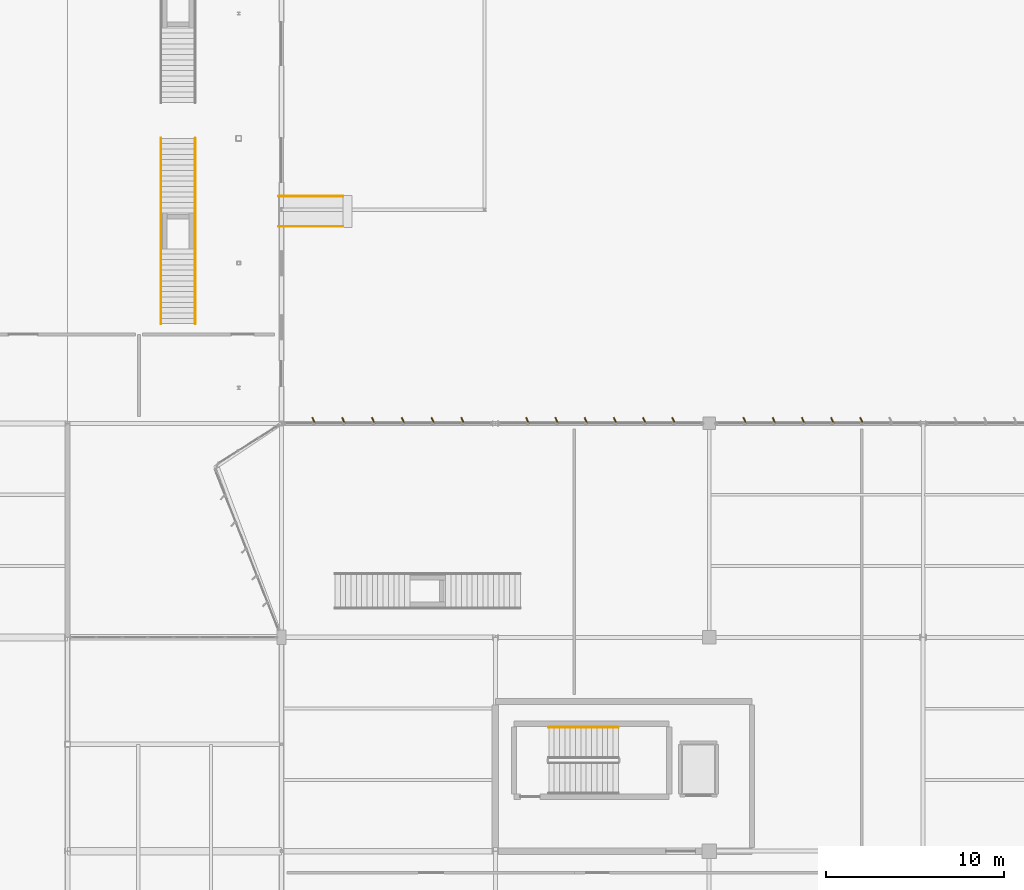
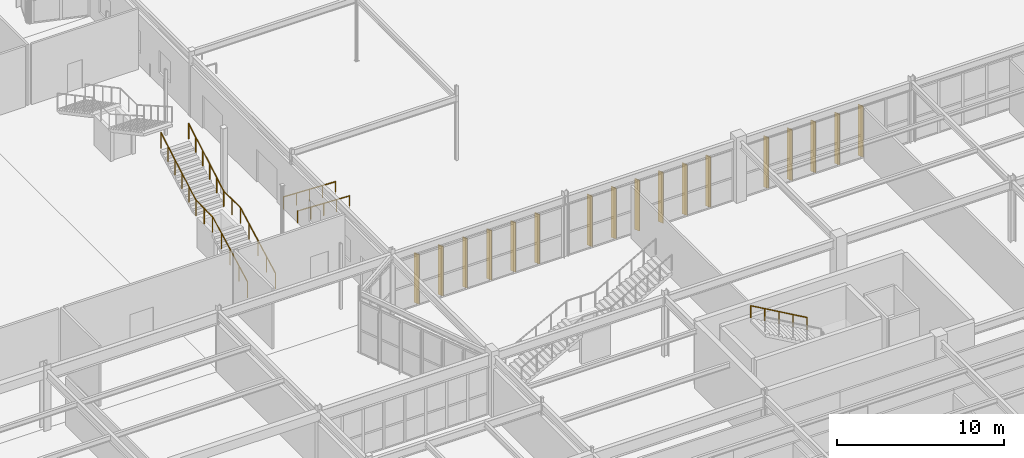
# One storey, part 190 of 199: 17 shading devices, 5 railings.
"""IFC4 building model written with IfcOpenShell, lengths in metres."""

from ifc_helpers import new_model, si_unit, direction, frame, origin, origin_2d, place, context, subcontext, project, spatial, rectangle, circle, extrude, material, layer, layer_set, type_object, element, save


model = new_model("IFC4")

# Units and contexts
model_context = context("Model", 3, precision=1e-05, world=origin(), true_north=direction((0.0, 1.0)))
body_context = subcontext(model_context, "Body", "Model", "MODEL_VIEW")
ifc_project = project(units=[si_unit("LENGTHUNIT", "METRE"), si_unit("AREAUNIT", "SQUARE_METRE"), si_unit("VOLUMEUNIT", "CUBIC_METRE"), si_unit("PLANEANGLEUNIT", "RADIAN"), si_unit("MASSUNIT", "GRAM", prefix="KILO")], contexts=[model_context])

# Site, building, storey
site_placement = place(None, origin())
site = spatial("IfcSite", under=ifc_project, at=site_placement, CompositionType="ELEMENT")
building_placement = place(site_placement, origin())
building = spatial("IfcBuilding", under=site, at=building_placement, Name="Tarnwether General Hospital", CompositionType="ELEMENT")
storey_placement = place(building_placement, origin())
storey = spatial("IfcBuildingStorey", under=building, at=storey_placement, Name="L00", CompositionType="ELEMENT", Elevation=0.0)

# Railings
ifc_material_1 = material(Name="Anodised aluminium", Category="aluminium")
railing_type_1 = type_object("IfcRailingType", Name="RL-GRD-EXT", PredefinedType="GUARDRAIL", material=ifc_material_1)
railing_1_placement = place(storey_placement, frame((139.159912109375, 51.199951171875, 0.159912109375)))
element("IfcRailing", 1, at=railing_1_placement, inside=storey, type_object=railing_type_1, Name="Feature Stair Guard ST-11 1", PredefinedType="GUARDRAIL", context=body_context, shape_type="SweptSolid", body=[
    extrude(circle(Radius=0.02392578125, at=origin_2d()), frame((0.0, 0.0, 1.1259765625), z_axis=(0.0, 0.882351521365, 0.470590897432), x_axis=(-1.0, 0.0, 0.0)), (0.0, 0.0, 1.0), 4.760009765625),
    extrude(circle(Radius=0.02392578125, at=origin_2d()), frame((0.0, 4.199951171875, 3.36572265625), z_axis=(0.0, 1.0, 0.0), x_axis=(-1.0, 0.0, 0.0)), (0.0, 0.0, 1.0), 2.0),
    extrude(circle(Radius=0.02392578125, at=origin_2d()), frame((0.0, 6.199951171875, 3.36572265625), z_axis=(0.0, 0.868240036425, 0.496144373291), x_axis=(-1.0, 0.0, 0.0)), (0.0, 0.0, 1.0), 4.837646484375),
    extrude(circle(Radius=0.02099609375, at=origin_2d()), origin(), (0.0, 0.0, 1.0), 1.101806640625),
    extrude(circle(Radius=0.02099609375, at=origin_2d()), frame((0.0, 1.050048828125, 0.56005859375)), (0.0, 0.0, 1.0), 1.101806640625),
    extrude(circle(Radius=0.02099609375, at=origin_2d()), frame((0.0, 2.10009765625, 1.1201171875)), (0.0, 0.0, 1.0), 1.101806640625),
    extrude(circle(Radius=0.02099609375, at=origin_2d()), frame((0.0, 3.14990234375, 1.679931640625)), (0.0, 0.0, 1.0), 1.101806640625),
    extrude(circle(Radius=0.02099609375, at=origin_2d()), frame((0.0, 4.199951171875, 2.239990234375)), (0.0, 0.0, 1.0), 1.101806640625),
    extrude(circle(Radius=0.02099609375, at=origin_2d()), frame((0.0, 5.199951171875, 2.239990234375)), (0.0, 0.0, 1.0), 1.101806640625),
    extrude(circle(Radius=0.02099609375, at=origin_2d()), frame((0.0, 6.199951171875, 2.239990234375)), (0.0, 0.0, 1.0), 1.101806640625),
    extrude(circle(Radius=0.02099609375, at=origin_2d()), frame((0.0, 7.0400390625, 2.719970703125)), (0.0, 0.0, 1.0), 1.101806640625),
    extrude(circle(Radius=0.02099609375, at=origin_2d()), frame((0.0, 7.880126953125, 3.199951171875)), (0.0, 0.0, 1.0), 1.101806640625),
    extrude(circle(Radius=0.02099609375, at=origin_2d()), frame((0.0, 8.719970703125, 3.68017578125)), (0.0, 0.0, 1.0), 1.101806640625),
    extrude(circle(Radius=0.02099609375, at=origin_2d()), frame((0.0, 9.56005859375, 4.16015625)), (0.0, 0.0, 1.0), 1.101806640625),
    extrude(circle(Radius=0.02099609375, at=origin_2d()), frame((0.0, 10.400146484375, 4.64013671875)), (0.0, 0.0, 1.0), 1.101806640625),
])
railing_2_placement = place(storey_placement, frame((137.239990234375, 51.199951171875, 0.159912109375)))
element("IfcRailing", 2, at=railing_2_placement, inside=storey, type_object=railing_type_1, Name="Feature Stair Guard ST-11 2", PredefinedType="GUARDRAIL", context=body_context, shape_type="SweptSolid", body=[
    extrude(circle(Radius=0.02392578125, at=origin_2d()), frame((0.0, 0.0, 1.1259765625), z_axis=(0.0, 0.882351521365, 0.470590897432), x_axis=(-1.0, 0.0, 0.0)), (0.0, 0.0, 1.0), 4.760009765625),
    extrude(circle(Radius=0.02392578125, at=origin_2d()), frame((0.0, 4.199951171875, 3.36572265625), z_axis=(0.0, 1.0, 0.0), x_axis=(-1.0, 0.0, 0.0)), (0.0, 0.0, 1.0), 2.0),
    extrude(circle(Radius=0.02392578125, at=origin_2d()), frame((0.0, 6.199951171875, 3.36572265625), z_axis=(0.0, 0.868240036425, 0.496144373291), x_axis=(-1.0, 0.0, 0.0)), (0.0, 0.0, 1.0), 4.837646484375),
    extrude(circle(Radius=0.02099609375, at=origin_2d()), origin(), (0.0, 0.0, 1.0), 1.101806640625),
    extrude(circle(Radius=0.02099609375, at=origin_2d()), frame((0.0, 1.050048828125, 0.56005859375)), (0.0, 0.0, 1.0), 1.101806640625),
    extrude(circle(Radius=0.02099609375, at=origin_2d()), frame((0.0, 2.10009765625, 1.1201171875)), (0.0, 0.0, 1.0), 1.101806640625),
    extrude(circle(Radius=0.02099609375, at=origin_2d()), frame((0.0, 3.14990234375, 1.679931640625)), (0.0, 0.0, 1.0), 1.101806640625),
    extrude(circle(Radius=0.02099609375, at=origin_2d()), frame((0.0, 4.199951171875, 2.239990234375)), (0.0, 0.0, 1.0), 1.101806640625),
    extrude(circle(Radius=0.02099609375, at=origin_2d()), frame((0.0, 5.199951171875, 2.239990234375)), (0.0, 0.0, 1.0), 1.101806640625),
    extrude(circle(Radius=0.02099609375, at=origin_2d()), frame((0.0, 6.199951171875, 2.239990234375)), (0.0, 0.0, 1.0), 1.101806640625),
    extrude(circle(Radius=0.02099609375, at=origin_2d()), frame((0.0, 7.0400390625, 2.719970703125)), (0.0, 0.0, 1.0), 1.101806640625),
    extrude(circle(Radius=0.02099609375, at=origin_2d()), frame((0.0, 7.880126953125, 3.199951171875)), (0.0, 0.0, 1.0), 1.101806640625),
    extrude(circle(Radius=0.02099609375, at=origin_2d()), frame((0.0, 8.719970703125, 3.68017578125)), (0.0, 0.0, 1.0), 1.101806640625),
    extrude(circle(Radius=0.02099609375, at=origin_2d()), frame((0.0, 9.56005859375, 4.16015625)), (0.0, 0.0, 1.0), 1.101806640625),
    extrude(circle(Radius=0.02099609375, at=origin_2d()), frame((0.0, 10.400146484375, 4.64013671875)), (0.0, 0.0, 1.0), 1.101806640625),
])
ifc_material_2 = material(Name="Anodised aluminium", Category="aluminium")
railing_type_2 = type_object("IfcRailingType", Name="RL-HND-INT", PredefinedType="HANDRAIL", material=ifc_material_2)
railing_3_placement = place(storey_placement, frame((162.89990234375, 28.550048828125, 2.571533203125)))
element("IfcRailing", 3, at=railing_3_placement, inside=storey, type_object=railing_type_2, Name="L00 ST-05 stair handrail 2", PredefinedType="HANDRAIL", context=body_context, shape_type="SweptSolid", body=[
    extrude(circle(Radius=0.02392578125, at=origin_2d()), frame((0.0, 0.0, 0.8759765625), z_axis=(-0.868243142124, 0.0, 0.496138938357), x_axis=(0.0, -1.0, 0.0)), (0.0, 0.0, 1.0), 4.49169921875),
    extrude(circle(Radius=0.02099609375, at=origin_2d()), origin(), (0.0, 0.0, 1.0), 0.851806640625),
    extrude(circle(Radius=0.02099609375, at=origin_2d()), frame((-0.97509765625, 0.0, 0.55712890625)), (0.0, 0.0, 1.0), 0.851806640625),
    extrude(circle(Radius=0.02099609375, at=origin_2d()), frame((-1.949951171875, 0.0, 1.1142578125)), (0.0, 0.0, 1.0), 0.851806640625),
    extrude(circle(Radius=0.02099609375, at=origin_2d()), frame((-2.9248046875, 0.0, 1.67138671875)), (0.0, 0.0, 1.0), 0.851806640625),
    extrude(circle(Radius=0.02099609375, at=origin_2d()), frame((-3.89990234375, 0.0, 2.228515625)), (0.0, 0.0, 1.0), 0.851806640625),
])
for number, where, name in (
    (4, (147.449951171875, 58.35009765625, -0.14990234375), "Ramp Handrail RMP-03"),
    (5, (147.449951171875, 56.64990234375, -0.14990234375), "Ramp Handrail RMP-03"),
):
    element("IfcRailing", number, at=place(storey_placement, frame(where)), inside=storey, type_object=railing_type_2, Name=name, PredefinedType="HANDRAIL", context=body_context, shape_type="SweptSolid", body=[
        extrude(circle(Radius=0.02392578125, at=origin_2d()), frame((0.0, 0.0, 0.8759765625), z_axis=(-0.999134129699, 0.0, 0.041605178409), x_axis=(0.0, -1.0, 0.0)), (0.0, 0.0, 1.0), 3.60302734375),
        extrude(circle(Radius=0.02099609375, at=origin_2d()), origin(), (0.0, 0.0, 1.0), 0.851806640625),
        extrude(circle(Radius=0.02099609375, at=origin_2d()), frame((-0.89990234375, 0.0, 0.03759765625)), (0.0, 0.0, 1.0), 0.851806640625),
        extrude(circle(Radius=0.02099609375, at=origin_2d()), frame((-1.7998046875, 0.0, 0.074951171875)), (0.0, 0.0, 1.0), 0.851806640625),
        extrude(circle(Radius=0.02099609375, at=origin_2d()), frame((-2.699951171875, 0.0, 0.1123046875)), (0.0, 0.0, 1.0), 0.851806640625),
        extrude(circle(Radius=0.02099609375, at=origin_2d()), frame((-3.599853515625, 0.0, 0.14990234375)), (0.0, 0.0, 1.0), 0.851806640625),
    ])

# Shading devices
ifc_material_3 = material(Name="Champagne-bronze anodised aluminium", Category="aluminium")
ifc_layer = layer(ifc_material_3, 0.06005859375)
ifc_layer_set = layer_set([ifc_layer], Name="Champagne-bronze anodised aluminium")
shading_device_type = type_object("IfcShadingDeviceType", Name="SH-FIN-BRZ", PredefinedType="USERDEFINED", material=ifc_layer_set)
for number, where, z_axis, x_axis, name in (
    (6, (145.806884765625, 45.760009765625, 0.0498046875), (0.0, 0.0, 1.0), (0.906307787037, 0.422618261741, 0.0), "Champagne-Bronze Brise-Soleil Fin 0089"),
    (7, (147.47900390625, 45.760009765625, 0.0498046875), (0.0, 0.0, 1.0), (0.906307787037, 0.422618261741, 0.0), "Champagne-Bronze Brise-Soleil Fin 0090"),
    (8, (149.15087890625, 45.760009765625, 0.0498046875), (0.0, 0.0, 1.0), (0.906307787037, 0.422618261741, 0.0), "Champagne-Bronze Brise-Soleil Fin 0091"),
    (9, (150.822021484375, 45.760009765625, 0.0498046875), (0.0, 0.0, 1.0), (0.906307787037, 0.422618261741, 0.0), "Champagne-Bronze Brise-Soleil Fin 0092"),
    (10, (152.493896484375, 45.760009765625, 0.0498046875), (0.0, 0.0, 1.0), (0.906307787037, 0.422618261741, 0.0), "Champagne-Bronze Brise-Soleil Fin 0093"),
    (11, (154.166015625, 45.760009765625, 0.0498046875), (0.0, 0.0, 1.0), (0.906307787037, 0.422618261741, 0.0), "Champagne-Bronze Brise-Soleil Fin 0094"),
):
    element("IfcShadingDevice", number, at=place(storey_placement, frame(where, z_axis=z_axis, x_axis=x_axis)), inside=storey, type_object=shading_device_type, Name=name, ObjectType="SOLAR FIN", PredefinedType="USERDEFINED", context=body_context, shape_type="SweptSolid", body=[
        extrude(rectangle(XDim=0.06005859375, YDim=0.360107421875, at=origin_2d()), origin(), (0.0, 0.0, 1.0), 3.637939453125),
    ])
for number, where, z_axis, x_axis, name in (
    (12, (157.802001953125, 45.760009765625, 0.0498046875), (0.0, 0.0, 1.0), (0.906307787037, 0.422618261741, 0.0), "Champagne-Bronze Brise-Soleil Fin 0095"),
    (13, (159.44189453125, 45.760009765625, 0.0498046875), (0.0, 0.0, 1.0), (0.906307787037, 0.422618261741, 0.0), "Champagne-Bronze Brise-Soleil Fin 0096"),
    (14, (161.08203125, 45.760009765625, 0.0498046875), (0.0, 0.0, 1.0), (0.906307787037, 0.422618261741, 0.0), "Champagne-Bronze Brise-Soleil Fin 0097"),
    (15, (162.721923828125, 45.760009765625, 0.0498046875), (0.0, 0.0, 1.0), (0.906307787037, 0.422618261741, 0.0), "Champagne-Bronze Brise-Soleil Fin 0098"),
    (16, (164.362060546875, 45.760009765625, 0.0498046875), (0.0, 0.0, 1.0), (0.906307787037, 0.422618261741, 0.0), "Champagne-Bronze Brise-Soleil Fin 0099"),
    (17, (166.001953125, 45.760009765625, 0.0498046875), (0.0, 0.0, 1.0), (0.906307787037, 0.422618261741, 0.0), "Champagne-Bronze Brise-Soleil Fin 0100"),
):
    element("IfcShadingDevice", number, at=place(storey_placement, frame(where, z_axis=z_axis, x_axis=x_axis)), inside=storey, type_object=shading_device_type, Name=name, ObjectType="SOLAR FIN", PredefinedType="USERDEFINED", context=body_context, shape_type="SweptSolid", body=[
        extrude(rectangle(XDim=0.06005859375, YDim=0.360107421875, at=origin_2d()), origin(), (0.0, 0.0, 1.0), 3.718017578125),
    ])
for number, where, z_axis, x_axis, name in (
    (18, (169.9970703125, 45.760009765625, 0.050048828125), (0.0, 0.0, 1.0), (0.906307787037, 0.422618261741, 0.0), "Champagne-Bronze Brise-Soleil Fin 0101"),
    (19, (171.635009765625, 45.760009765625, 0.050048828125), (0.0, 0.0, 1.0), (0.906307787037, 0.422618261741, 0.0), "Champagne-Bronze Brise-Soleil Fin 0102"),
    (20, (173.27392578125, 45.760009765625, 0.050048828125), (0.0, 0.0, 1.0), (0.906307787037, 0.422618261741, 0.0), "Champagne-Bronze Brise-Soleil Fin 0103"),
    (21, (174.9130859375, 45.760009765625, 0.050048828125), (0.0, 0.0, 1.0), (0.906307787037, 0.422618261741, 0.0), "Champagne-Bronze Brise-Soleil Fin 0104"),
    (22, (176.551025390625, 45.760009765625, 0.050048828125), (0.0, 0.0, 1.0), (0.906307787037, 0.422618261741, 0.0), "Champagne-Bronze Brise-Soleil Fin 0105"),
):
    element("IfcShadingDevice", number, at=place(storey_placement, frame(where, z_axis=z_axis, x_axis=x_axis)), inside=storey, type_object=shading_device_type, Name=name, ObjectType="SOLAR FIN", PredefinedType="USERDEFINED", context=body_context, shape_type="SweptSolid", body=[
        extrude(rectangle(XDim=0.06005859375, YDim=0.360107421875, at=origin_2d()), origin(), (0.0, 0.0, 1.0), 3.72802734375),
    ])

save(model, "model.ifc")
